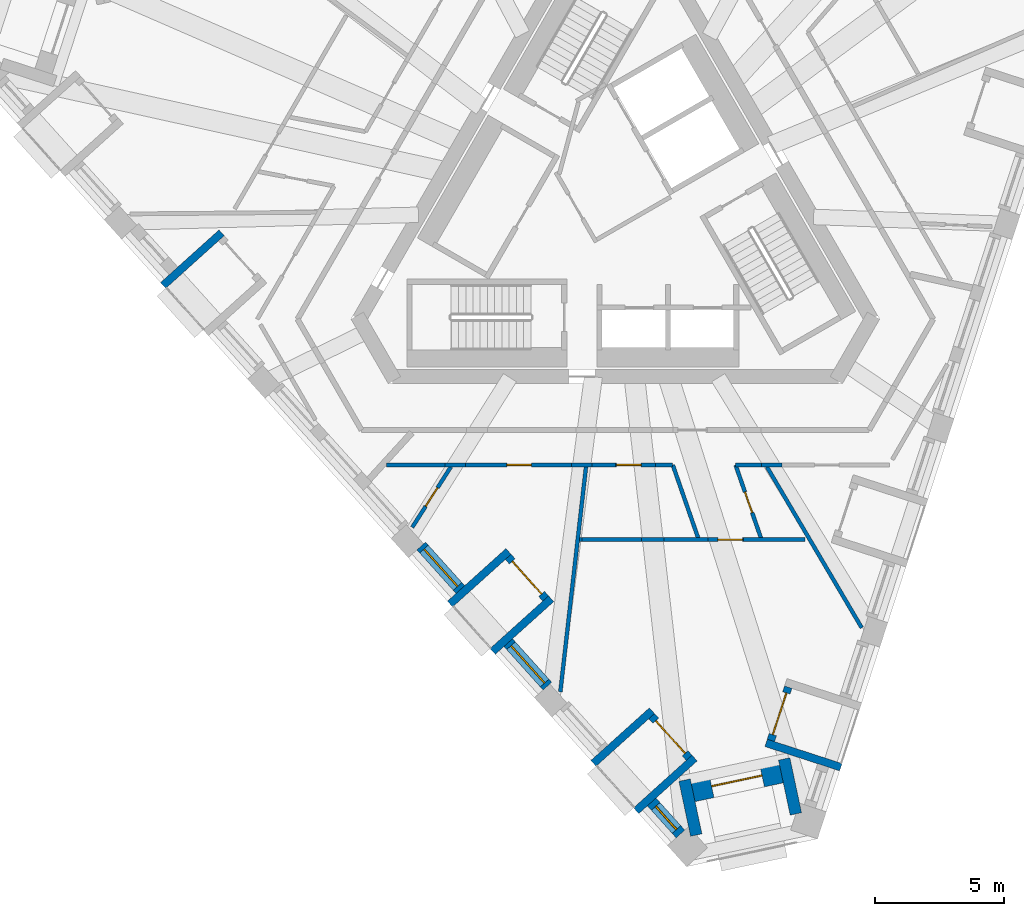
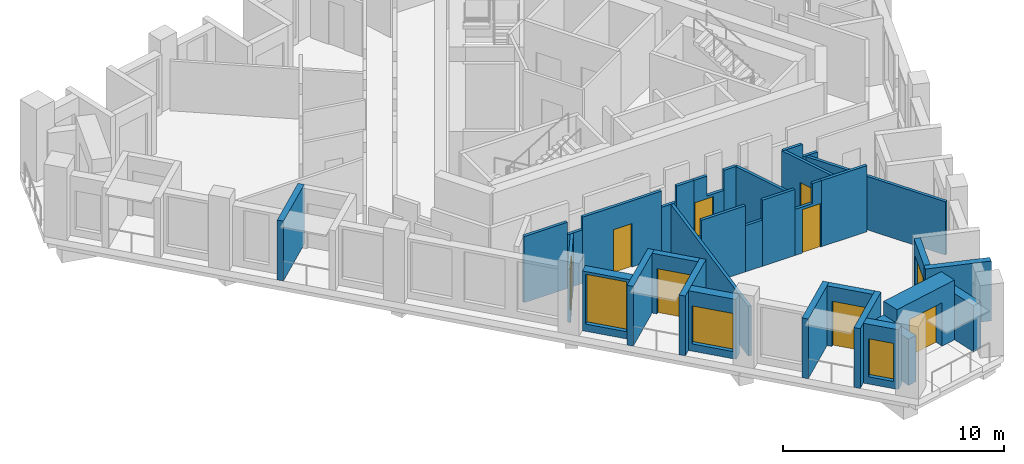
# One storey, part 2 of 13: 35 walls, 9 doors, 3 windows, 12 openings.
"""IFC4 building model written with IfcOpenShell, lengths in metres."""

from ifc_helpers import new_model, si_unit, direction, frame, frame_2d, origin, place, context, subcontext, project, spatial, polyline, rectangle, outline, extrude, material, layer, layer_set, type_object, element, fill, save


model = new_model("IFC4")

# Units and contexts
model_context = context("Model", 3, precision=1e-05, world=origin(), true_north=direction((0.0, 1.0)))
body_context = subcontext(model_context, "Body", "Model", "MODEL_VIEW")
ifc_project = project(units=[si_unit("LENGTHUNIT", "METRE"), si_unit("AREAUNIT", "SQUARE_METRE"), si_unit("VOLUMEUNIT", "CUBIC_METRE"), si_unit("PLANEANGLEUNIT", "RADIAN"), si_unit("MASSUNIT", "GRAM", prefix="KILO")], contexts=[model_context])

# Site, building, storey
site_placement = place(None, origin())
site = spatial("IfcSite", under=ifc_project, at=site_placement, CompositionType="ELEMENT")
building_placement = place(site_placement, origin())
building = spatial("IfcBuilding", under=site, at=building_placement, Name="Tramontana Tower", CompositionType="ELEMENT")
storey_placement = place(building_placement, frame((0.0, 0.0, 328.39990234375)))
storey = spatial("IfcBuildingStorey", under=building, at=storey_placement, Name="L75", CompositionType="ELEMENT", Elevation=328.39990234375)

# Wall, opening, window
ifc_material_1 = material(Name="Precast concrete 60 MPa", Category="concrete")
ifc_layer_1 = layer(ifc_material_1, 0.449951171875)
ifc_layer_set_1 = layer_set([ifc_layer_1], Name="Precast concrete 60 MPa, 450 mm")
wall_type_1 = type_object("IfcWallType", Name="EW1 Stone-faced precast wall 450", PredefinedType="SOLIDWALL", material=ifc_layer_set_1)
wall_1_placement = place(storey_placement, frame((-7.529541015625, -13.046142578125, 0.0), z_axis=(0.0, 0.0, 1.0), x_axis=(0.669160694992, -0.743117732447, 0.0)))
wall_1 = element("IfcWall", 1, at=wall_1_placement, inside=storey, type_object=wall_type_1, Name="External wall L75 face 0 bay 4", PredefinedType="SOLIDWALL", context=body_context, shape_type="SweptSolid", body=[
    extrude(rectangle(XDim=2.271240234375, YDim=0.449951171875, at=frame_2d((1.1357421875, 0.0))), origin(), (0.0, 0.0, 1.0), 3.300048828125),
])
opening_1_placement = place(wall_1_placement, frame((0.16064453125, 0.0, 0.39990234375)))
opening_1 = element("IfcOpeningElement", 2, at=opening_1_placement, cuts=wall_1, Name="Opening M3", PredefinedType="OPENING", context=body_context, shape_type="SweptSolid", body=[
    extrude(rectangle(XDim=1.949951171875, YDim=2.75, at=frame_2d((0.97509765625, 1.375))), frame((0.0, 0.23486328125, 0.0), z_axis=(0.0, -1.0, 0.0), x_axis=(1.0, 0.0, 0.0)), (0.0, 0.0, 1.0), 0.469970703125),
])
ifc_material_2 = material(Name="Aluminum frame, double glazing unit", Category="aluminium")
window_type_1 = type_object("IfcWindowType", Name="M3 Window 1.95 x 2.75", PartitioningType="SINGLE_PANEL", PredefinedType="WINDOW", material=ifc_material_2)
window_1_placement = place(opening_1_placement, origin())
window_1 = element("IfcWindow", 3, at=window_1_placement, inside=storey, type_object=window_type_1, Name="Window M3 L75 face 0 module 10", OverallHeight=2.75, OverallWidth=1.949951171875, PartitioningType="SINGLE_PANEL", PredefinedType="WINDOW", context=body_context, shape_type="SweptSolid", body=[
    extrude(rectangle(XDim=1.949951171875, YDim=2.75, at=frame_2d((0.97509765625, 1.375))), frame((0.0, 0.030029296875, 0.0), z_axis=(0.0, -1.0, 0.0), x_axis=(1.0, 0.0, 0.0)), (0.0, 0.0, 1.0), 0.06005859375),
])
fill(opening_1, window_1)

wall_2_placement = place(storey_placement, frame((-4.1552734375, -16.79345703125, 0.0), z_axis=(0.0, 0.0, 1.0), x_axis=(0.669160694992, -0.743117732447, 0.0)))
wall_2 = element("IfcWall", 4, at=wall_2_placement, inside=storey, type_object=wall_type_1, Name="External wall L75 face 0 bay 4", PredefinedType="SOLIDWALL", context=body_context, shape_type="SweptSolid", body=[
    extrude(rectangle(XDim=2.271240234375, YDim=0.449951171875, at=frame_2d((1.1357421875, 0.0))), origin(), (0.0, 0.0, 1.0), 3.300048828125),
])
opening_2_placement = place(wall_2_placement, frame((0.16064453125, 0.0, 0.39990234375)))
opening_2 = element("IfcOpeningElement", 5, at=opening_2_placement, cuts=wall_2, Name="Opening M3L", PredefinedType="OPENING", context=body_context, shape_type="SweptSolid", body=[
    extrude(rectangle(XDim=1.949951171875, YDim=2.10009765625, at=frame_2d((0.97509765625, 1.050048828125))), frame((0.0, 0.23486328125, 0.0), z_axis=(0.0, -1.0, 0.0), x_axis=(1.0, 0.0, 0.0)), (0.0, 0.0, 1.0), 0.469970703125),
])
ifc_material_3 = material(Name="Aluminum frame, double glazing unit", Category="aluminium")
window_type_2 = type_object("IfcWindowType", Name="M3L Window 1.95 x 2.1", PartitioningType="SINGLE_PANEL", PredefinedType="WINDOW", material=ifc_material_3)
window_2_placement = place(opening_2_placement, origin())
window_2 = element("IfcWindow", 6, at=window_2_placement, inside=storey, type_object=window_type_2, Name="Window M3L L75 face 0 module 12", OverallHeight=2.10009765625, OverallWidth=1.949951171875, PartitioningType="SINGLE_PANEL", PredefinedType="WINDOW", context=body_context, shape_type="SweptSolid", body=[
    extrude(rectangle(XDim=1.949951171875, YDim=2.10009765625, at=frame_2d((0.97509765625, 1.050048828125))), frame((0.0, 0.030029296875, 0.0), z_axis=(0.0, -1.0, 0.0), x_axis=(1.0, 0.0, 0.0)), (0.0, 0.0, 1.0), 0.06005859375),
])
fill(opening_2, window_2)

wall_3_placement = place(storey_placement, frame((1.40771484375, -22.971923828125, 0.0), z_axis=(0.0, 0.0, 1.0), x_axis=(0.669182609054, -0.743097998746, 0.0)))
wall_3 = element("IfcWall", 7, at=wall_3_placement, inside=storey, type_object=wall_type_1, Name="External wall L75 face 0 bay 5", PredefinedType="SOLIDWALL", context=body_context, shape_type="SweptSolid", body=[
    extrude(rectangle(XDim=1.67138671875, YDim=0.449951171875, at=frame_2d((0.835693359375, 0.0))), origin(), (0.0, 0.0, 1.0), 3.300048828125),
])
opening_3_placement = place(wall_3_placement, frame((0.235595703125, 0.0, 0.39990234375)))
opening_3 = element("IfcOpeningElement", 8, at=opening_3_placement, cuts=wall_3, Name="Opening N3L", PredefinedType="OPENING", context=body_context, shape_type="SweptSolid", body=[
    extrude(rectangle(XDim=1.199951171875, YDim=2.10009765625, at=frame_2d((0.60009765625, 1.050048828125))), frame((0.0, 0.23486328125, 0.0), z_axis=(0.0, -1.0, 0.0), x_axis=(1.0, 0.0, 0.0)), (0.0, 0.0, 1.0), 0.469970703125),
])
ifc_material_4 = material(Name="Aluminum frame, double glazing unit", Category="aluminium")
window_type_3 = type_object("IfcWindowType", Name="N3L Window 1.2 x 2.1", PartitioningType="SINGLE_PANEL", PredefinedType="WINDOW", material=ifc_material_4)
window_3_placement = place(opening_3_placement, origin())
window_3 = element("IfcWindow", 9, at=window_3_placement, inside=storey, type_object=window_type_3, Name="Window N3L L75 face 0 module 15", OverallHeight=2.10009765625, OverallWidth=1.199951171875, PartitioningType="SINGLE_PANEL", PredefinedType="WINDOW", context=body_context, shape_type="SweptSolid", body=[
    extrude(rectangle(XDim=1.199951171875, YDim=2.10009765625, at=frame_2d((0.60009765625, 1.050048828125))), frame((0.0, 0.030029296875, 0.0), z_axis=(0.0, -1.0, 0.0), x_axis=(1.0, 0.0, 0.0)), (0.0, 0.0, 1.0), 0.06005859375),
])
fill(opening_3, window_3)

# Walls
for number, where, z_axis, x_axis, name in (
    (10, (7.00048828125, -23.435791015625, 0.0), (0.0, 0.0, 1.0), (-0.207929769172, 0.978143757886, 0.0), "Corner loggia side wall L75 K81l"),
    (11, (3.136962890625, -24.257080078125, 0.0), (0.0, 0.0, 1.0), (-0.207929769172, 0.978143757886, 0.0), "Corner loggia side wall L75 K81r"),
):
    element("IfcWall", number, at=place(storey_placement, frame(where, z_axis=z_axis, x_axis=x_axis)), inside=storey, type_object=wall_type_1, Name=name, PredefinedType="SOLIDWALL", context=body_context, shape_type="SweptSolid", body=[
        extrude(rectangle(XDim=2.17919921875, YDim=0.449951171875, at=frame_2d((1.089599609375, 0.0))), origin(), (0.0, 0.0, 1.0), 2.550048828125),
    ])

# Wall, opening, door
ifc_material_5 = material(Name="Precast concrete 60 MPa", Category="concrete")
ifc_layer_2 = layer(ifc_material_5, 0.89990234375)
ifc_layer_set_2 = layer_set([ifc_layer_2], Name="EW2 Stone-faced corner loggia wall 900")
wall_type_2 = type_object("IfcWallType", Name="EW2 Stone-faced corner loggia wall 900", PredefinedType="SOLIDWALL", material=ifc_layer_set_2)
wall_4_placement = place(storey_placement, frame((6.4208984375, -21.791259765625, 0.0), z_axis=(0.0, 0.0, 1.0), x_axis=(-0.978154241128, -0.207880447765, 0.0)))
wall_4 = element("IfcWall", 12, at=wall_4_placement, inside=storey, type_object=wall_type_2, Name="Corner loggia wall L75 K81", PredefinedType="SOLIDWALL", context=body_context, shape_type="SweptSolid", body=[
    extrude(rectangle(XDim=3.499755859375, YDim=0.89990234375, at=frame_2d((1.75, 0.0))), origin(), (0.0, 0.0, 1.0), 3.300048828125),
])
opening_4_placement = place(wall_4_placement, frame((0.75, 0.0, 0.0)))
opening_4 = element("IfcOpeningElement", 13, at=opening_4_placement, cuts=wall_4, Name="Opening BD-81C", PredefinedType="OPENING", context=body_context, shape_type="SweptSolid", body=[
    extrude(rectangle(XDim=2.0, YDim=2.39990234375, at=frame_2d((1.0, 1.199951171875))), frame((0.0, 0.4599609375, 0.0), z_axis=(0.0, -1.0, 0.0), x_axis=(1.0, 0.0, 0.0)), (0.0, 0.0, 1.0), 0.919921875),
])
ifc_material_6 = material(Name="Aluminum frame, double glazing unit", Category="aluminium")
door_type_1 = type_object("IfcDoorType", Name="BC1 Sliding door 2 x 2.4", OperationType="SLIDING_TO_LEFT", PredefinedType="DOOR", material=ifc_material_6)
door_1_placement = place(opening_4_placement, origin())
door_1 = element("IfcDoor", 14, at=door_1_placement, inside=storey, type_object=door_type_1, Name="Corner loggia door L75 K81", OperationType="SLIDING_TO_LEFT", OverallHeight=2.39990234375, OverallWidth=2.0, PredefinedType="DOOR", context=body_context, shape_type="SweptSolid", body=[
    extrude(rectangle(XDim=2.0, YDim=2.39990234375, at=frame_2d((1.0, 1.199951171875))), frame((0.0, 0.02490234375, 0.0), z_axis=(0.0, -1.0, 0.0), x_axis=(1.0, 0.0, 0.0)), (0.0, 0.0, 1.0), 0.050048828125),
])
fill(opening_4, door_1)

# Wall
ifc_material_7 = material(Name="Precast concrete 60 MPa", Category="concrete")
ifc_layer_3 = layer(ifc_material_7, 0.300048828125)
ifc_layer_set_3 = layer_set([ifc_layer_3], Name="LW1 Stone-faced loggia wall 300")
wall_type_3 = type_object("IfcWallType", Name="LW1 Stone-faced loggia wall 300", PredefinedType="SOLIDWALL", material=ifc_layer_set_3)
wall_5_placement = place(storey_placement, frame((-17.537109375, -2.9404296875, 0.0), z_axis=(0.0, 0.0, 1.0), x_axis=(0.743118999127, 0.669159288314, 0.0)))
element("IfcWall", 15, at=wall_5_placement, inside=storey, type_object=wall_type_3, Name="Loggia return L75 G8S0.4a", PredefinedType="SOLIDWALL", context=body_context, shape_type="SweptSolid", body=[
    extrude(rectangle(XDim=3.050048828125, YDim=0.300048828125, at=frame_2d((1.52490234375, 0.0))), origin(), (0.0, 0.0, 1.0), 3.300048828125),
])

# Wall, opening, door
wall_6_placement = place(storey_placement, frame((-4.155517578125, -13.468017578125, 0.0), z_axis=(0.0, 0.0, 1.0), x_axis=(0.669144868344, -0.743131983681, 0.0)))
wall_6 = element("IfcWall", 16, at=wall_6_placement, inside=storey, type_object=wall_type_3, Name="Loggia wall L75 G8S0.10", PredefinedType="SOLIDWALL", context=body_context, shape_type="SweptSolid", body=[
    extrude(rectangle(XDim=2.171142578125, YDim=0.300048828125, at=frame_2d((1.08544921875, 0.0))), origin(), (0.0, 0.0, 1.0), 3.300048828125),
])
opening_5_placement = place(wall_6_placement, frame((0.235595703125, 0.0, 0.0)))
opening_5 = element("IfcOpeningElement", 17, at=opening_5_placement, cuts=wall_6, Name="Opening BD-8S0-10", PredefinedType="OPENING", context=body_context, shape_type="SweptSolid", body=[
    extrude(rectangle(XDim=1.699951171875, YDim=2.5, at=frame_2d((0.85009765625, 1.25))), frame((0.0, 0.159912109375, 0.0), z_axis=(0.0, -1.0, 0.0), x_axis=(1.0, 0.0, 0.0)), (0.0, 0.0, 1.0), 0.320068359375),
])
ifc_material_8 = material(Name="Aluminum frame, double glazing unit", Category="aluminium")
door_type_2 = type_object("IfcDoorType", Name="BD3 Sliding door 1.7 x 2.5", OperationType="SLIDING_TO_LEFT", PredefinedType="DOOR", material=ifc_material_8)
door_2_placement = place(opening_5_placement, origin())
door_2 = element("IfcDoor", 18, at=door_2_placement, inside=storey, type_object=door_type_2, Name="Loggia door L75 G8S0.10", OperationType="SLIDING_TO_LEFT", OverallHeight=2.5, OverallWidth=1.699951171875, PredefinedType="DOOR", context=body_context, shape_type="SweptSolid", body=[
    extrude(rectangle(XDim=1.699951171875, YDim=2.5, at=frame_2d((0.85009765625, 1.25))), frame((0.0, 0.02490234375, 0.0), z_axis=(0.0, -1.0, 0.0), x_axis=(1.0, 0.0, 0.0)), (0.0, 0.0, 1.0), 0.050048828125),
])
fill(opening_5, door_2)

# Walls
for number, where, z_axis, x_axis, name in (
    (19, (-6.410888671875, -15.297119140625, 0.0), (0.0, 0.0, 1.0), (0.743158802514, 0.669115082961, 0.0), "Loggia return L75 G8S0.10a"),
    (20, (-4.75732421875, -17.133544921875, 0.0), (0.0, 0.0, 1.0), (0.743158802514, 0.669115082961, 0.0), "Loggia return L75 G8S0.10b"),
):
    element("IfcWall", number, at=place(storey_placement, frame(where, z_axis=z_axis, x_axis=x_axis)), inside=storey, type_object=wall_type_3, Name=name, PredefinedType="SOLIDWALL", context=body_context, shape_type="SweptSolid", body=[
        extrude(rectangle(XDim=3.050048828125, YDim=0.300048828125, at=frame_2d((1.52490234375, 0.0))), origin(), (0.0, 0.0, 1.0), 3.300048828125),
    ])

# Wall, opening, door
wall_7_placement = place(storey_placement, frame((1.40771484375, -19.646484375, 0.0), z_axis=(0.0, 0.0, 1.0), x_axis=(0.669144868344, -0.743131983681, 0.0)))
wall_7 = element("IfcWall", 21, at=wall_7_placement, inside=storey, type_object=wall_type_3, Name="Loggia wall L75 G8S0.13", PredefinedType="SOLIDWALL", context=body_context, shape_type="SweptSolid", body=[
    extrude(rectangle(XDim=2.171142578125, YDim=0.300048828125, at=frame_2d((1.08544921875, 0.0))), origin(), (0.0, 0.0, 1.0), 3.300048828125),
])
opening_6_placement = place(wall_7_placement, frame((0.235595703125, 0.0, 0.0)))
opening_6 = element("IfcOpeningElement", 22, at=opening_6_placement, cuts=wall_7, Name="Opening BD-8S0-13", PredefinedType="OPENING", context=body_context, shape_type="SweptSolid", body=[
    extrude(rectangle(XDim=1.699951171875, YDim=2.5, at=frame_2d((0.85009765625, 1.25))), frame((0.0, 0.159912109375, 0.0), z_axis=(0.0, -1.0, 0.0), x_axis=(1.0, 0.0, 0.0)), (0.0, 0.0, 1.0), 0.320068359375),
])
door_3_placement = place(opening_6_placement, origin())
door_3 = element("IfcDoor", 23, at=door_3_placement, inside=storey, type_object=door_type_2, Name="Loggia door L75 G8S0.13", OperationType="SLIDING_TO_LEFT", OverallHeight=2.5, OverallWidth=1.699951171875, PredefinedType="DOOR", context=body_context, shape_type="SweptSolid", body=[
    extrude(rectangle(XDim=1.699951171875, YDim=2.5, at=frame_2d((0.85009765625, 1.25))), frame((0.0, 0.02490234375, 0.0), z_axis=(0.0, -1.0, 0.0), x_axis=(1.0, 0.0, 0.0)), (0.0, 0.0, 1.0), 0.050048828125),
])
fill(opening_6, door_3)

# Walls
for number, where, z_axis, x_axis, name in (
    (24, (-0.847900390625, -21.4755859375, 0.0), (0.0, 0.0, 1.0), (0.743118999127, 0.669159288314, 0.0), "Loggia return L75 G8S0.13a"),
    (25, (0.8056640625, -23.31201171875, 0.0), (0.0, 0.0, 1.0), (0.743158802514, 0.669115082961, 0.0), "Loggia return L75 G8S0.13b"),
):
    element("IfcWall", number, at=place(storey_placement, frame(where, z_axis=z_axis, x_axis=x_axis)), inside=storey, type_object=wall_type_3, Name=name, PredefinedType="SOLIDWALL", context=body_context, shape_type="SweptSolid", body=[
        extrude(rectangle(XDim=3.050048828125, YDim=0.300048828125, at=frame_2d((1.52490234375, 0.0))), origin(), (0.0, 0.0, 1.0), 3.300048828125),
    ])

# Wall, opening, door
wall_8_placement = place(storey_placement, frame((6.0341796875, -20.58544921875, 0.0), z_axis=(0.0, 0.0, 1.0), x_axis=(0.308999623589, 0.95106216023, 0.0)))
wall_8 = element("IfcWall", 26, at=wall_8_placement, inside=storey, type_object=wall_type_3, Name="Loggia wall L75 G8S1.1", PredefinedType="SOLIDWALL", context=body_context, shape_type="SweptSolid", body=[
    extrude(rectangle(XDim=2.171142578125, YDim=0.300048828125, at=frame_2d((1.08544921875, 0.0))), origin(), (0.0, 0.0, 1.0), 3.300048828125),
])
opening_7_placement = place(wall_8_placement, frame((0.235595703125, 0.0, 0.0)))
opening_7 = element("IfcOpeningElement", 27, at=opening_7_placement, cuts=wall_8, Name="Opening BD-8S1-01", PredefinedType="OPENING", context=body_context, shape_type="SweptSolid", body=[
    extrude(rectangle(XDim=1.699951171875, YDim=2.5, at=frame_2d((0.85009765625, 1.25))), frame((0.0, 0.159912109375, 0.0), z_axis=(0.0, -1.0, 0.0), x_axis=(1.0, 0.0, 0.0)), (0.0, 0.0, 1.0), 0.320068359375),
])
door_4_placement = place(opening_7_placement, origin())
door_4 = element("IfcDoor", 28, at=door_4_placement, inside=storey, type_object=door_type_2, Name="Loggia door L75 G8S1.1", OperationType="SLIDING_TO_LEFT", OverallHeight=2.5, OverallWidth=1.699951171875, PredefinedType="DOOR", context=body_context, shape_type="SweptSolid", body=[
    extrude(rectangle(XDim=1.699951171875, YDim=2.5, at=frame_2d((0.85009765625, 1.25))), frame((0.0, 0.02490234375, 0.0), z_axis=(0.0, -1.0, 0.0), x_axis=(1.0, 0.0, 0.0)), (0.0, 0.0, 1.0), 0.050048828125),
])
fill(opening_7, door_4)

# Wall
wall_9_placement = place(storey_placement, frame((8.745849609375, -21.624267578125, 0.0), z_axis=(0.0, 0.0, 1.0), x_axis=(-0.951072883748, 0.308966615996, 0.0)))
element("IfcWall", 29, at=wall_9_placement, inside=storey, type_object=wall_type_3, Name="Loggia return L75 G8S1.1a", PredefinedType="SOLIDWALL", context=body_context, shape_type="SweptSolid", body=[
    extrude(rectangle(XDim=3.050048828125, YDim=0.300048828125, at=frame_2d((1.52490234375, 0.0))), origin(), (0.0, 0.0, 1.0), 3.300048828125),
])

# Wall, opening, door
ifc_material_9 = material(Name="Gypsum board partition")
ifc_layer_4 = layer(ifc_material_9, 0.14990234375)
ifc_layer_set_4 = layer_set([ifc_layer_4], Name="PARTITION 150")
wall_type_4 = type_object("IfcWallType", Name="PARTITION 150", PredefinedType="PARTITIONING", material=ifc_layer_set_4)
wall_10_placement = place(storey_placement, frame((-7.87841796875, -12.322265625, 0.0), z_axis=(0.0, 0.0, 1.0), x_axis=(0.5386831167, 0.842508456801, 0.0)))
wall_10 = element("IfcWall", 30, at=wall_10_placement, inside=storey, type_object=wall_type_4, Name="Wall v80-pw10-0", PredefinedType="PARTITIONING", context=body_context, shape_type="SweptSolid", body=[
    extrude(rectangle(XDim=2.785888671875, YDim=0.14990234375, at=frame_2d((1.39306640625, 0.0))), origin(), (0.0, 0.0, 1.0), 2.9501953125),
])
opening_8_placement = place(wall_10_placement, frame((0.968017578125, 0.0, 0.0)))
opening_8 = element("IfcOpeningElement", 31, at=opening_8_placement, cuts=wall_10, Name="Opening B8A-12", PredefinedType="OPENING", context=body_context, shape_type="SweptSolid", body=[
    extrude(rectangle(XDim=0.85009765625, YDim=2.39990234375, at=frame_2d((0.425048828125, 1.199951171875))), frame((0.0, 0.0849609375, 0.0), z_axis=(0.0, -1.0, 0.0), x_axis=(1.0, 0.0, 0.0)), (0.0, 0.0, 1.0), 0.169921875),
])
ifc_material_10 = material(Name="Painted timber", Category="wood")
door_type_3 = type_object("IfcDoorType", Name="DOOR BATH 850", OperationType="SINGLE_SWING_LEFT", PredefinedType="DOOR", material=ifc_material_10)
door_5_placement = place(opening_8_placement, origin())
door_5 = element("IfcDoor", 32, at=door_5_placement, inside=storey, type_object=door_type_3, Name="Door B8A-12", OperationType="SINGLE_SWING_RIGHT", OverallHeight=2.39990234375, OverallWidth=0.85009765625, PredefinedType="DOOR", context=body_context, shape_type="SweptSolid", body=[
    extrude(rectangle(XDim=0.85009765625, YDim=2.39990234375, at=frame_2d((0.425048828125, 1.199951171875))), frame((0.0, 0.02490234375, 0.0), z_axis=(0.0, -1.0, 0.0), x_axis=(1.0, 0.0, 0.0)), (0.0, 0.0, 1.0), 0.050048828125),
])
fill(opening_8, door_5)

# Walls
wall_11_placement = place(storey_placement, frame((-2.1337890625, -18.702392578125, 0.0), z_axis=(0.0, 0.0, 1.0), x_axis=(0.113371784985, 0.993552634926, 0.0)))
element("IfcWall", 33, at=wall_11_placement, inside=storey, type_object=wall_type_4, Name="Wall v80-pw13-0", PredefinedType="PARTITIONING", context=body_context, shape_type="SweptSolid", body=[
    extrude(rectangle(XDim=8.783935546875, YDim=0.14990234375, at=frame_2d((4.39208984375, 0.0))), origin(), (0.0, 0.0, 1.0), 2.75),
])
wall_12_placement = place(storey_placement, frame((2.2236328125, -9.89990234375, 0.0), z_axis=(0.0, 0.0, 1.0), x_axis=(-1.0, 0.0, 0.0)))
element("IfcWall", 34, at=wall_12_placement, inside=storey, type_object=wall_type_4, Name="Wall v80-pw16-0", PredefinedType="PARTITIONING", context=body_context, shape_type="SweptSolid", body=[
    extrude(rectangle(XDim=0.660888671875, YDim=0.14990234375, at=frame_2d((0.33056640625, 0.0))), origin(), (0.0, 0.0, 1.0), 3.650146484375),
])

# Wall, opening, door
wall_13_placement = place(storey_placement, frame((1.562744140625, -9.89990234375, 0.0), z_axis=(0.0, 0.0, 1.0), x_axis=(-1.0, 0.0, 0.0)))
wall_13 = element("IfcWall", 35, at=wall_13_placement, inside=storey, type_object=wall_type_4, Name="Wall v80-pw16-1", PredefinedType="PARTITIONING", context=body_context, shape_type="SweptSolid", body=[
    extrude(outline(polyline([(0.0, 0.0), (1.562255859375, 0.0), (1.562255859375, 3.650146484375), (0.880615234375, 3.650146484375), (0.880615234375, 2.550048828125), (0.0, 2.550048828125), (0.0, 0.0)])), frame((0.0, 0.074951171875, 0.0), z_axis=(0.0, -1.0, 0.0), x_axis=(1.0, 0.0, 0.0)), (0.0, 0.0, 1.0), 0.14990234375),
])
opening_9_placement = place(wall_13_placement, frame((0.562255859375, 0.0, 0.0)))
opening_9 = element("IfcOpeningElement", 36, at=opening_9_placement, cuts=wall_13, Name="Opening B8A-07", PredefinedType="OPENING", context=body_context, shape_type="SweptSolid", body=[
    extrude(rectangle(XDim=0.949951171875, YDim=2.39990234375, at=frame_2d((0.47509765625, 1.199951171875))), frame((0.0, 0.0849609375, 0.0), z_axis=(0.0, -1.0, 0.0), x_axis=(1.0, 0.0, 0.0)), (0.0, 0.0, 1.0), 0.169921875),
])
ifc_material_11 = material(Name="Painted timber", Category="wood")
door_type_4 = type_object("IfcDoorType", Name="DOOR ROOM 950", OperationType="SINGLE_SWING_LEFT", PredefinedType="DOOR", material=ifc_material_11)
door_6_placement = place(opening_9_placement, origin())
door_6 = element("IfcDoor", 37, at=door_6_placement, inside=storey, type_object=door_type_4, Name="Door B8A-07", OperationType="SINGLE_SWING_LEFT", OverallHeight=2.39990234375, OverallWidth=0.949951171875, PredefinedType="DOOR", context=body_context, shape_type="SweptSolid", body=[
    extrude(rectangle(XDim=0.949951171875, YDim=2.39990234375, at=frame_2d((0.47509765625, 1.199951171875))), frame((0.0, 0.02490234375, 0.0), z_axis=(0.0, -1.0, 0.0), x_axis=(1.0, 0.0, 0.0)), (0.0, 0.0, 1.0), 0.050048828125),
])
fill(opening_9, door_6)

# Walls
wall_14_placement = place(storey_placement, frame((0.00048828125, -9.89990234375, 0.0), z_axis=(0.0, 0.0, 1.0), x_axis=(-1.0, 0.0, 0.0)))
element("IfcWall", 38, at=wall_14_placement, inside=storey, type_object=wall_type_4, Name="Wall v80-pw16-2", PredefinedType="PARTITIONING", context=body_context, shape_type="SweptSolid", body=[
    extrude(rectangle(XDim=0.91259765625, YDim=0.14990234375, at=frame_2d((0.456298828125, 0.0))), origin(), (0.0, 0.0, 1.0), 3.650146484375),
])
wall_15_placement = place(storey_placement, frame((-0.912109375, -9.89990234375, 0.0), z_axis=(0.0, 0.0, 1.0), x_axis=(-1.0, 0.0, 0.0)))
element("IfcWall", 39, at=wall_15_placement, inside=storey, type_object=wall_type_4, Name="Wall v80-pw16-3", PredefinedType="PARTITIONING", context=body_context, shape_type="SweptSolid", body=[
    extrude(rectangle(XDim=0.78173828125, YDim=0.14990234375, at=frame_2d((0.390869140625, 0.0))), origin(), (0.0, 0.0, 1.0), 2.75),
])

# Wall, opening, door
wall_16_placement = place(storey_placement, frame((-1.69384765625, -9.89990234375, 0.0), z_axis=(0.0, 0.0, 1.0), x_axis=(-1.0, 0.0, 0.0)))
wall_16 = element("IfcWall", 40, at=wall_16_placement, inside=storey, type_object=wall_type_4, Name="Wall v80-pw16-4", PredefinedType="PARTITIONING", context=body_context, shape_type="SweptSolid", body=[
    extrude(rectangle(XDim=4.11962890625, YDim=0.14990234375, at=frame_2d((2.059814453125, 0.0))), origin(), (0.0, 0.0, 1.0), 3.650146484375),
])
opening_10_placement = place(wall_16_placement, frame((1.56103515625, 0.0, 0.0)))
opening_10 = element("IfcOpeningElement", 41, at=opening_10_placement, cuts=wall_16, Name="Opening B8A-10", PredefinedType="OPENING", context=body_context, shape_type="SweptSolid", body=[
    extrude(rectangle(XDim=0.949951171875, YDim=2.39990234375, at=frame_2d((0.47509765625, 1.199951171875))), frame((0.0, 0.0849609375, 0.0), z_axis=(0.0, -1.0, 0.0), x_axis=(1.0, 0.0, 0.0)), (0.0, 0.0, 1.0), 0.169921875),
])
door_7_placement = place(opening_10_placement, origin())
door_7 = element("IfcDoor", 42, at=door_7_placement, inside=storey, type_object=door_type_4, Name="Door B8A-10", OperationType="SINGLE_SWING_RIGHT", OverallHeight=2.39990234375, OverallWidth=0.949951171875, PredefinedType="DOOR", context=body_context, shape_type="SweptSolid", body=[
    extrude(rectangle(XDim=0.949951171875, YDim=2.39990234375, at=frame_2d((0.47509765625, 1.199951171875))), frame((0.0, 0.02490234375, 0.0), z_axis=(0.0, -1.0, 0.0), x_axis=(1.0, 0.0, 0.0)), (0.0, 0.0, 1.0), 0.050048828125),
])
fill(opening_10, door_7)

# Walls
wall_17_placement = place(storey_placement, frame((-5.8134765625, -9.89990234375, 0.0), z_axis=(0.0, 0.0, 1.0), x_axis=(-1.0, 0.0, 0.0)))
element("IfcWall", 43, at=wall_17_placement, inside=storey, type_object=wall_type_4, Name="Wall v80-pw16-5", PredefinedType="PARTITIONING", context=body_context, shape_type="SweptSolid", body=[
    extrude(rectangle(XDim=0.796875, YDim=0.14990234375, at=frame_2d((0.3984375, 0.0))), origin(), (0.0, 0.0, 1.0), 2.9501953125),
])
wall_18_placement = place(storey_placement, frame((-6.6103515625, -9.89990234375, 0.0), z_axis=(0.0, 0.0, 1.0), x_axis=(-1.0, 0.0, 0.0)))
element("IfcWall", 44, at=wall_18_placement, inside=storey, type_object=wall_type_4, Name="Wall v80-pw16-6", PredefinedType="PARTITIONING", context=body_context, shape_type="SweptSolid", body=[
    extrude(rectangle(XDim=2.25634765625, YDim=0.14990234375, at=frame_2d((1.128173828125, 0.0))), origin(), (0.0, 0.0, 1.0), 3.650146484375),
])
wall_19_placement = place(storey_placement, frame((3.2333984375, -12.797119140625, 0.0), z_axis=(0.0, 0.0, 1.0), x_axis=(-0.328483552403, 0.944509690687, 0.0)))
element("IfcWall", 45, at=wall_19_placement, inside=storey, type_object=wall_type_4, Name="Wall v80-pw17", PredefinedType="PARTITIONING", context=body_context, shape_type="SweptSolid", body=[
    extrude(rectangle(XDim=3.065185546875, YDim=0.14990234375, at=frame_2d((1.53271484375, 0.0))), origin(), (0.0, 0.0, 1.0), 3.650146484375),
])

# Wall, opening, door
wall_20_placement = place(storey_placement, frame((4.662353515625, -9.904052734375, 0.0), z_axis=(0.0, 0.0, 1.0), x_axis=(0.328468069606, -0.944515075184, 0.0)))
wall_20 = element("IfcWall", 46, at=wall_20_placement, inside=storey, type_object=wall_type_4, Name="Wall v80-pw19", PredefinedType="PARTITIONING", context=body_context, shape_type="SweptSolid", body=[
    extrude(rectangle(XDim=3.06298828125, YDim=0.14990234375, at=frame_2d((1.531494140625, 0.0))), origin(), (0.0, 0.0, 1.0), 3.650146484375),
])
opening_11_placement = place(wall_20_placement, frame((1.1064453125, 0.0, 0.0)))
opening_11 = element("IfcOpeningElement", 47, at=opening_11_placement, cuts=wall_20, Name="Opening B8A-08", PredefinedType="OPENING", context=body_context, shape_type="SweptSolid", body=[
    extrude(rectangle(XDim=0.85009765625, YDim=2.39990234375, at=frame_2d((0.425048828125, 1.199951171875))), frame((0.0, 0.0849609375, 0.0), z_axis=(0.0, -1.0, 0.0), x_axis=(1.0, 0.0, 0.0)), (0.0, 0.0, 1.0), 0.169921875),
])
door_8_placement = place(opening_11_placement, origin())
door_8 = element("IfcDoor", 48, at=door_8_placement, inside=storey, type_object=door_type_3, Name="Door B8A-08", OperationType="SINGLE_SWING_RIGHT", OverallHeight=2.39990234375, OverallWidth=0.85009765625, PredefinedType="DOOR", context=body_context, shape_type="SweptSolid", body=[
    extrude(rectangle(XDim=0.85009765625, YDim=2.39990234375, at=frame_2d((0.425048828125, 1.199951171875))), frame((0.0, 0.02490234375, 0.0), z_axis=(0.0, -1.0, 0.0), x_axis=(1.0, 0.0, 0.0)), (0.0, 0.0, 1.0), 0.050048828125),
])
fill(opening_11, door_8)

# Walls
wall_21_placement = place(storey_placement, frame((5.877685546875, -9.97509765625, 0.0), z_axis=(0.0, 0.0, 1.0), x_axis=(0.507681142474, -0.861545040945, 0.0)))
element("IfcWall", 49, at=wall_21_placement, inside=storey, type_object=wall_type_4, Name="Wall v80-pw21-0", PredefinedType="PARTITIONING", context=body_context, shape_type="SweptSolid", body=[
    extrude(rectangle(XDim=7.24560546875, YDim=0.14990234375, at=frame_2d((3.622802734375, 0.0))), origin(), (0.0, 0.0, 1.0), 2.9501953125),
])
wall_22_placement = place(storey_placement, frame((7.35595703125, -12.800048828125, 0.0), z_axis=(0.0, 0.0, 1.0), x_axis=(-1.0, 0.0, 0.0)))
element("IfcWall", 50, at=wall_22_placement, inside=storey, type_object=wall_type_4, Name="Wall v80-pw23-0", PredefinedType="PARTITIONING", context=body_context, shape_type="SweptSolid", body=[
    extrude(rectangle(XDim=2.37939453125, YDim=0.14990234375, at=frame_2d((1.189697265625, 0.0))), origin(), (0.0, 0.0, 1.0), 3.650146484375),
])

# Wall, opening, door
wall_23_placement = place(storey_placement, frame((4.9765625, -12.800048828125, 0.0), z_axis=(0.0, 0.0, 1.0), x_axis=(-1.0, 0.0, 0.0)))
wall_23 = element("IfcWall", 51, at=wall_23_placement, inside=storey, type_object=wall_type_4, Name="Wall v80-pw23-1", PredefinedType="PARTITIONING", context=body_context, shape_type="SweptSolid", body=[
    extrude(outline(polyline([(0.0, 0.0), (1.391845703125, 0.0), (1.3916015625, 2.550048828125), (0.47412109375, 2.550048828125), (0.47412109375, 3.650146484375), (0.0, 3.650146484375), (0.0, 0.0)])), frame((0.0, 0.074951171875, 0.0), z_axis=(0.0, -1.0, 0.0), x_axis=(1.0, 0.0, 0.0)), (0.0, 0.0, 1.0), 0.14990234375),
])
opening_12_placement = place(wall_23_placement, frame((0.050048828125, 0.0, 0.0)))
opening_12 = element("IfcOpeningElement", 52, at=opening_12_placement, cuts=wall_23, Name="Opening B8A-09", PredefinedType="OPENING", context=body_context, shape_type="SweptSolid", body=[
    extrude(rectangle(XDim=0.949951171875, YDim=2.39990234375, at=frame_2d((0.47509765625, 1.199951171875))), frame((0.0, 0.0849609375, 0.0), z_axis=(0.0, -1.0, 0.0), x_axis=(1.0, 0.0, 0.0)), (0.0, 0.0, 1.0), 0.169921875),
])
door_9_placement = place(opening_12_placement, origin())
door_9 = element("IfcDoor", 53, at=door_9_placement, inside=storey, type_object=door_type_4, Name="Door B8A-09", OperationType="SINGLE_SWING_LEFT", OverallHeight=2.39990234375, OverallWidth=0.949951171875, PredefinedType="DOOR", context=body_context, shape_type="SweptSolid", body=[
    extrude(rectangle(XDim=0.949951171875, YDim=2.39990234375, at=frame_2d((0.47509765625, 1.199951171875))), frame((0.0, 0.02490234375, 0.0), z_axis=(0.0, -1.0, 0.0), x_axis=(1.0, 0.0, 0.0)), (0.0, 0.0, 1.0), 0.050048828125),
])
fill(opening_12, door_9)

# Walls
wall_24_placement = place(storey_placement, frame((3.584716796875, -12.800048828125, 0.0), z_axis=(0.0, 0.0, 1.0), x_axis=(-1.0, 0.0, 0.0)))
element("IfcWall", 54, at=wall_24_placement, inside=storey, type_object=wall_type_4, Name="Wall v80-pw23-2", PredefinedType="PARTITIONING", context=body_context, shape_type="SweptSolid", body=[
    extrude(rectangle(XDim=1.693115234375, YDim=0.14990234375, at=frame_2d((0.8466796875, 0.0))), origin(), (0.0, 0.0, 1.0), 3.650146484375),
])
wall_25_placement = place(storey_placement, frame((1.8916015625, -12.800048828125, 0.0), z_axis=(0.0, 0.0, 1.0), x_axis=(-1.0, 0.0, 0.0)))
element("IfcWall", 55, at=wall_25_placement, inside=storey, type_object=wall_type_4, Name="Wall v80-pw23-3", PredefinedType="PARTITIONING", context=body_context, shape_type="SweptSolid", body=[
    extrude(rectangle(XDim=0.880615234375, YDim=0.14990234375, at=frame_2d((0.4404296875, 0.0))), origin(), (0.0, 0.0, 1.0), 2.550048828125),
])
wall_26_placement = place(storey_placement, frame((1.010986328125, -12.800048828125, 0.0), z_axis=(0.0, 0.0, 1.0), x_axis=(-1.0, 0.0, 0.0)))
element("IfcWall", 56, at=wall_26_placement, inside=storey, type_object=wall_type_4, Name="Wall v80-pw23-4", PredefinedType="PARTITIONING", context=body_context, shape_type="SweptSolid", body=[
    extrude(rectangle(XDim=2.3046875, YDim=0.14990234375, at=frame_2d((1.15234375, 0.0))), origin(), (0.0, 0.0, 1.0), 3.650146484375),
])
wall_27_placement = place(storey_placement, frame((-1.293701171875, -12.800048828125, 0.0), z_axis=(0.0, 0.0, 1.0), x_axis=(-1.0, 0.0, 0.0)))
element("IfcWall", 57, at=wall_27_placement, inside=storey, type_object=wall_type_4, Name="Wall v80-pw23-5", PredefinedType="PARTITIONING", context=body_context, shape_type="SweptSolid", body=[
    extrude(rectangle(XDim=0.091064453125, YDim=0.14990234375, at=frame_2d((0.04541015625, 0.0))), origin(), (0.0, 0.0, 1.0), 2.75),
])
wall_28_placement = place(storey_placement, frame((6.4619140625, -9.89990234375, 0.0), z_axis=(0.0, 0.0, 1.0), x_axis=(-1.0, 0.0, 0.0)))
element("IfcWall", 58, at=wall_28_placement, inside=storey, type_object=wall_type_4, Name="Wall v80-pw27-1", PredefinedType="PARTITIONING", context=body_context, shape_type="SweptSolid", body=[
    extrude(rectangle(XDim=0.791748046875, YDim=0.14990234375, at=frame_2d((0.39599609375, 0.0))), origin(), (0.0, 0.0, 1.0), 2.9501953125),
])
wall_29_placement = place(storey_placement, frame((5.670166015625, -9.89990234375, 0.0), z_axis=(0.0, 0.0, 1.0), x_axis=(-1.0, 0.0, 0.0)))
element("IfcWall", 59, at=wall_29_placement, inside=storey, type_object=wall_type_4, Name="Wall v80-pw27-2", PredefinedType="PARTITIONING", context=body_context, shape_type="SweptSolid", body=[
    extrude(rectangle(XDim=1.005126953125, YDim=0.14990234375, at=frame_2d((0.50244140625, 0.0))), origin(), (0.0, 0.0, 1.0), 3.650146484375),
])

save(model, "model.ifc")
